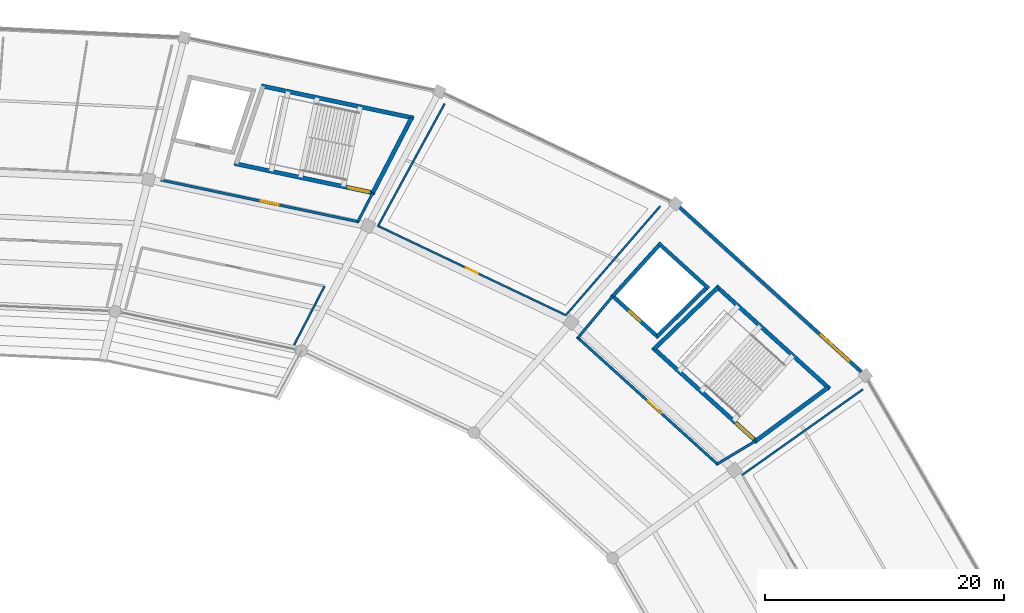
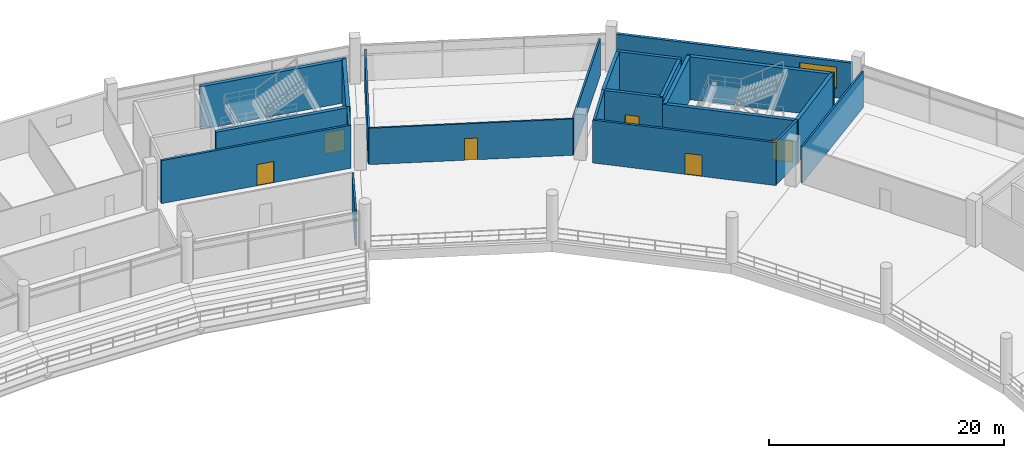
# One storey, part 138 of 171: 22 walls, 6 doors, 1 window, 7 openings.
"""IFC4 building model written with IfcOpenShell, lengths in metres."""

from ifc_helpers import new_model, si_unit, direction, frame, frame_2d, origin, place, context, subcontext, project, spatial, rectangle, extrude, material, layer, layer_set, type_object, element, fill, save


model = new_model("IFC4")

# Units and contexts
model_context = context("Model", 3, precision=1e-05, world=origin(), true_north=direction((0.0, 1.0)))
body_context = subcontext(model_context, "Body", "Model", "MODEL_VIEW")
ifc_project = project(units=[si_unit("LENGTHUNIT", "METRE"), si_unit("AREAUNIT", "SQUARE_METRE"), si_unit("VOLUMEUNIT", "CUBIC_METRE"), si_unit("PLANEANGLEUNIT", "RADIAN"), si_unit("MASSUNIT", "GRAM", prefix="KILO")], contexts=[model_context])

# Site, building, storey
site_placement = place(None, origin())
site = spatial("IfcSite", under=ifc_project, at=site_placement, CompositionType="ELEMENT")
building_placement = place(site_placement, origin())
building = spatial("IfcBuilding", under=site, at=building_placement, Name="Kazemori Nagisa Stadium", CompositionType="ELEMENT")
storey_placement = place(building_placement, frame((0.0, 0.0, 15.639892578125)))
storey = spatial("IfcBuildingStorey", under=building, at=storey_placement, Name="L03", CompositionType="ELEMENT", Elevation=15.639892578125)

# Wall, opening, door
ifc_material_1 = material(Name="Concrete C40/50 (Fc42)", Category="concrete")
ifc_layer_1 = layer(ifc_material_1, 0.35009765625, Name="Concrete C40/50 (Fc42)", Category="concrete")
ifc_layer_set_1 = layer_set([ifc_layer_1], Name="Concrete C40/50 (Fc42)")
wall_type_1 = type_object("IfcWallType", Name="Wall_W-CORE-350", PredefinedType="SHEAR", material=ifc_layer_set_1)
wall_1_placement = place(storey_placement, frame((192.438720703125, 153.072021484375, 0.0), z_axis=(0.0, 0.0, 1.0), x_axis=(-0.741358227035, 0.671109513572, 0.0)))
wall_1 = element("IfcWall", 1, at=wall_1_placement, inside=storey, type_object=wall_type_1, Name="Core stair front shear wall ST01 L03", PredefinedType="SHEAR", context=body_context, shape_type="SweptSolid", body=[
    extrude(rectangle(XDim=11.82666015625, YDim=0.35009765625, at=frame_2d((5.913330078125, 0.0))), origin(), (0.0, 0.0, 1.0), 4.460205078125),
])
opening_1_placement = place(wall_1_placement, frame((0.47509765625, 0.0, 0.0)))
opening_1 = element("IfcOpeningElement", 2, at=opening_1_placement, cuts=wall_1, Name="Opening D-ST-1800", PredefinedType="OPENING", context=body_context, shape_type="SweptSolid", body=[
    extrude(rectangle(XDim=1.800048828125, YDim=2.199951171875, at=frame_2d((0.89990234375, 1.10009765625))), frame((0.0, 0.18505859375, 0.0), z_axis=(0.0, -1.0, 0.0), x_axis=(1.0, 0.0, 0.0)), (0.0, 0.0, 1.0), 0.3701171875),
])
ifc_material_2 = material(Name="Galvanised steel sheet", Category="steel")
door_type_1 = type_object("IfcDoorType", Name="Door_D-ST-1800", OperationType="NOTDEFINED", PredefinedType="DOOR", material=ifc_material_2)
door_1_placement = place(opening_1_placement, frame((1.800048828125, 0.0, 0.0), z_axis=(0.0, 0.0, 1.0), x_axis=(-1.0, 0.0, 0.0)))
door_1 = element("IfcDoor", 3, at=door_1_placement, inside=storey, type_object=door_type_1, Name="Exit stair fire door ST01-L03", OperationType="SINGLE_SWING_LEFT", OverallHeight=2.199951171875, OverallWidth=1.800048828125, PredefinedType="DOOR", context=body_context, shape_type="SweptSolid", body=[
    extrude(rectangle(XDim=1.800048828125, YDim=2.199951171875, at=frame_2d((0.89990234375, 1.10009765625))), frame((0.0, 0.02490234375, 0.0), z_axis=(0.0, -1.0, 0.0), x_axis=(1.0, 0.0, 0.0)), (0.0, 0.0, 1.0), 0.050048828125),
])
fill(opening_1, door_1)

# Walls
wall_2_placement = place(storey_placement, frame((198.499267578125, 157.548095703125, 0.0), z_axis=(0.0, 0.0, 1.0), x_axis=(-0.741351373721, 0.671117084183, 0.0)))
element("IfcWall", 4, at=wall_2_placement, inside=storey, type_object=wall_type_1, Name="Core stair rear shear wall ST01 L03", PredefinedType="SHEAR", context=body_context, shape_type="SweptSolid", body=[
    extrude(rectangle(XDim=12.830322265625, YDim=0.35009765625, at=frame_2d((6.4150390625, 0.0))), origin(), (0.0, 0.0, 1.0), 4.460205078125),
])
wall_3_placement = place(storey_placement, frame((192.308837890625, 153.189453125, 0.0), z_axis=(0.0, 0.0, 1.0), x_axis=(0.804395625347, 0.594093997548, 0.0)))
element("IfcWall", 5, at=wall_3_placement, inside=storey, type_object=wall_type_1, Name="Core stair left shear wall ST01 L03", PredefinedType="SHEAR", context=body_context, shape_type="SweptSolid", body=[
    extrude(rectangle(XDim=7.5341796875, YDim=0.35009765625, at=frame_2d((3.76708984375, 0.0))), origin(), (0.0, 0.0, 1.0), 4.460205078125),
])
wall_4_placement = place(storey_placement, frame((183.800537109375, 160.8916015625, 0.0), z_axis=(0.0, 0.0, 1.0), x_axis=(0.718297398554, 0.69573619083, 0.0)))
element("IfcWall", 6, at=wall_4_placement, inside=storey, type_object=wall_type_1, Name="Core stair right shear wall ST01 L03", PredefinedType="SHEAR", context=body_context, shape_type="SweptSolid", body=[
    extrude(rectangle(XDim=7.40185546875, YDim=0.35009765625, at=frame_2d((3.700927734375, 0.0))), origin(), (0.0, 0.0, 1.0), 4.460205078125),
])

# Wall, opening, door
wall_5_placement = place(storey_placement, frame((160.399658203125, 173.939697265625, 0.0), z_axis=(0.0, 0.0, 1.0), x_axis=(-0.978345203961, 0.206979858648, 0.0)))
wall_5 = element("IfcWall", 7, at=wall_5_placement, inside=storey, type_object=wall_type_1, Name="Core stair front shear wall ST11 L03", PredefinedType="SHEAR", context=body_context, shape_type="SweptSolid", body=[
    extrude(rectangle(XDim=12.044189453125, YDim=0.35009765625, at=frame_2d((6.02197265625, 0.0))), origin(), (0.0, 0.0, 1.0), 4.460205078125),
])
opening_2_placement = place(wall_5_placement, frame((0.47509765625, 0.0, 0.0)))
opening_2 = element("IfcOpeningElement", 8, at=opening_2_placement, cuts=wall_5, Name="Opening D-ST-1800", PredefinedType="OPENING", context=body_context, shape_type="SweptSolid", body=[
    extrude(rectangle(XDim=1.800048828125, YDim=2.199951171875, at=frame_2d((0.89990234375, 1.10009765625))), frame((0.0, 0.18505859375, 0.0), z_axis=(0.0, -1.0, 0.0), x_axis=(1.0, 0.0, 0.0)), (0.0, 0.0, 1.0), 0.3701171875),
])
door_2_placement = place(opening_2_placement, frame((1.800048828125, 0.0, 0.0), z_axis=(0.0, 0.0, 1.0), x_axis=(-1.0, 0.0, 0.0)))
door_2 = element("IfcDoor", 9, at=door_2_placement, inside=storey, type_object=door_type_1, Name="Exit stair fire door ST11-L03", OperationType="SINGLE_SWING_LEFT", OverallHeight=2.199951171875, OverallWidth=1.800048828125, PredefinedType="DOOR", context=body_context, shape_type="SweptSolid", body=[
    extrude(rectangle(XDim=1.800048828125, YDim=2.199951171875, at=frame_2d((0.89990234375, 1.10009765625))), frame((0.0, 0.02490234375, 0.0), z_axis=(0.0, -1.0, 0.0), x_axis=(1.0, 0.0, 0.0)), (0.0, 0.0, 1.0), 0.050048828125),
])
fill(opening_2, door_2)

# Walls
wall_6_placement = place(storey_placement, frame((163.655029296875, 180.2333984375, 0.0), z_axis=(0.0, 0.0, 1.0), x_axis=(-0.978345119536, 0.206980257705, 0.0)))
element("IfcWall", 10, at=wall_6_placement, inside=storey, type_object=wall_type_1, Name="Core stair rear shear wall ST11 L03", PredefinedType="SHEAR", context=body_context, shape_type="SweptSolid", body=[
    extrude(rectangle(XDim=13.06689453125, YDim=0.35009765625, at=frame_2d((6.533447265625, 0.0))), origin(), (0.0, 0.0, 1.0), 4.460205078125),
])
wall_7_placement = place(storey_placement, frame((160.228515625, 173.975830078125, 0.0), z_axis=(0.0, 0.0, 1.0), x_axis=(0.459409796564, 0.888224430435, 0.0)))
element("IfcWall", 11, at=wall_7_placement, inside=storey, type_object=wall_type_1, Name="Core stair left shear wall ST11 L03", PredefinedType="SHEAR", context=body_context, shape_type="SweptSolid", body=[
    extrude(rectangle(XDim=7.0859375, YDim=0.35009765625, at=frame_2d((3.54296875, 0.0))), origin(), (0.0, 0.0, 1.0), 4.460205078125),
])

# Wall, opening, window
ifc_material_3 = material(Name="Concrete C40/50 (Fc42) precast", Category="concrete")
ifc_layer_2 = layer(ifc_material_3, 0.27490234375, Name="Concrete C40/50 (Fc42) precast", Category="concrete")
ifc_layer_set_2 = layer_set([ifc_layer_2], Name="Concrete C40/50 (Fc42) precast")
wall_type_2 = type_object("IfcWallType", Name="Wall_W-EXT-275", PredefinedType="SOLIDWALL", material=ifc_layer_set_2)
wall_8_placement = place(storey_placement, frame((201.169189453125, 158.962890625, 0.0), z_axis=(0.0, 0.0, 1.0), x_axis=(-0.741352367697, 0.671115986183, 0.0)))
wall_8 = element("IfcWall", 12, at=wall_8_placement, inside=storey, type_object=wall_type_2, Name="Exterior facade wall L03-04", PredefinedType="SOLIDWALL", context=body_context, shape_type="SweptSolid", body=[
    extrude(rectangle(XDim=20.56396484375, YDim=0.27490234375, at=frame_2d((10.281982421875, 0.0))), origin(), (0.0, 0.0, 1.0), 3.81005859375),
])
opening_3_placement = place(wall_8_placement, frame((1.39990234375, 0.0, 1.0)))
opening_3 = element("IfcOpeningElement", 13, at=opening_3_placement, cuts=wall_8, Name="Opening WIN-L03-3200", PredefinedType="OPENING", context=body_context, shape_type="SweptSolid", body=[
    extrude(rectangle(XDim=3.199951171875, YDim=2.199951171875, at=frame_2d((1.60009765625, 1.10009765625))), frame((0.0, 0.1474609375, 0.0), z_axis=(0.0, -1.0, 0.0), x_axis=(1.0, 0.0, 0.0)), (0.0, 0.0, 1.0), 0.294921875),
])
ifc_material_4 = material(Name="Low-e laminated double glazing", Category="glass")
window_type = type_object("IfcWindowType", Name="Window_WIN-L03-3200", PartitioningType="SINGLE_PANEL", PredefinedType="WINDOW", material=ifc_material_4)
window_placement = place(opening_3_placement, origin())
window = element("IfcWindow", 14, at=window_placement, inside=storey, type_object=window_type, Name="Core lobby window L03-04", OverallHeight=2.199951171875, OverallWidth=3.199951171875, PartitioningType="SINGLE_PANEL", PredefinedType="WINDOW", context=body_context, shape_type="SweptSolid", body=[
    extrude(rectangle(XDim=3.199951171875, YDim=2.199951171875, at=frame_2d((1.60009765625, 1.10009765625))), frame((0.0, 0.030029296875, 0.0), z_axis=(0.0, -1.0, 0.0), x_axis=(1.0, 0.0, 0.0)), (0.0, 0.0, 1.0), 0.06005859375),
])
fill(opening_3, window)

# Wall, opening, door
ifc_material_5 = material(Name="Concrete C36/45 (Fc36)", Category="concrete")
ifc_layer_3 = layer(ifc_material_5, 0.219970703125, Name="Concrete C36/45 (Fc36)", Category="concrete")
ifc_layer_set_3 = layer_set([ifc_layer_3], Name="Concrete C36/45 (Fc36)")
wall_type_3 = type_object("IfcWallType", Name="Wall_W-LOBBY-220", PredefinedType="SOLIDWALL", material=ifc_layer_set_3)
wall_9_placement = place(storey_placement, frame((189.166259765625, 151.1806640625, 0.0), z_axis=(0.0, 0.0, 1.0), x_axis=(-0.741351035574, 0.671117457717, 0.0)))
wall_9 = element("IfcWall", 15, at=wall_9_placement, inside=storey, type_object=wall_type_3, Name="Core lobby fire wall ST01 L03", PredefinedType="SOLIDWALL", context=body_context, shape_type="SweptSolid", body=[
    extrude(rectangle(XDim=15.96923828125, YDim=0.219970703125, at=frame_2d((7.984619140625, 0.0))), origin(), (0.0, 0.0, 1.0), 4.460205078125),
])
opening_4_placement = place(wall_9_placement, frame((6.447021484375, 0.0, 0.0)))
opening_4 = element("IfcOpeningElement", 16, at=opening_4_placement, cuts=wall_9, Name="Opening D-FFL-1500", PredefinedType="OPENING", context=body_context, shape_type="SweptSolid", body=[
    extrude(rectangle(XDim=1.5, YDim=2.199951171875, at=frame_2d((0.75, 1.10009765625))), frame((0.0, 0.119873046875, 0.0), z_axis=(0.0, -1.0, 0.0), x_axis=(1.0, 0.0, 0.0)), (0.0, 0.0, 1.0), 0.239990234375),
])
door_type_2 = type_object("IfcDoorType", Name="Door_D-FFL-1500", OperationType="NOTDEFINED", PredefinedType="DOOR", material=ifc_material_2)
door_3_placement = place(opening_4_placement, frame((1.5, 0.0, 0.0), z_axis=(0.0, 0.0, 1.0), x_axis=(-1.0, 0.0, 0.0)))
door_3 = element("IfcDoor", 17, at=door_3_placement, inside=storey, type_object=door_type_2, Name="Protected lobby fire door ST01-L03", OperationType="DOUBLE_DOOR_SINGLE_SWING", OverallHeight=2.199951171875, OverallWidth=1.5, PredefinedType="DOOR", context=body_context, shape_type="SweptSolid", body=[
    extrude(rectangle(XDim=1.5, YDim=2.199951171875, at=frame_2d((0.75, 1.10009765625))), frame((0.0, 0.02490234375, 0.0), z_axis=(0.0, -1.0, 0.0), x_axis=(1.0, 0.0, 0.0)), (0.0, 0.0, 1.0), 0.050048828125),
])
fill(opening_4, door_3)

# Walls
wall_10_placement = place(storey_placement, frame((189.084716796875, 151.25439453125, 0.0), z_axis=(0.0, 0.0, 1.0), x_axis=(0.857424171966, 0.514610327654, 0.0)))
element("IfcWall", 18, at=wall_10_placement, inside=storey, type_object=wall_type_3, Name="Core lobby left wall ST01 L03", PredefinedType="SOLIDWALL", context=body_context, shape_type="SweptSolid", body=[
    extrude(rectangle(XDim=3.76025390625, YDim=0.219970703125, at=frame_2d((1.880126953125, 0.0))), origin(), (0.0, 0.0, 1.0), 4.460205078125),
])
wall_11_placement = place(storey_placement, frame((177.408935546875, 161.823974609375, 0.0), z_axis=(0.0, 0.0, 1.0), x_axis=(0.640759627034, 0.767741558315, 0.0)))
element("IfcWall", 19, at=wall_11_placement, inside=storey, type_object=wall_type_3, Name="Core lobby right wall ST01 L03", PredefinedType="SOLIDWALL", context=body_context, shape_type="SweptSolid", body=[
    extrude(rectangle(XDim=4.549072265625, YDim=0.219970703125, at=frame_2d((2.2744140625, 0.0))), origin(), (0.0, 0.0, 1.0), 4.460205078125),
])

# Wall, opening, door
wall_12_placement = place(storey_placement, frame((159.083984375, 171.5322265625, 0.0), z_axis=(0.0, 0.0, 1.0), x_axis=(-0.978342313718, 0.206993519678, 0.0)))
wall_12 = element("IfcWall", 20, at=wall_12_placement, inside=storey, type_object=wall_type_3, Name="Core lobby fire wall ST11 L03", PredefinedType="SOLIDWALL", context=body_context, shape_type="SweptSolid", body=[
    extrude(rectangle(XDim=16.983154296875, YDim=0.219970703125, at=frame_2d((8.49169921875, 0.0))), origin(), (0.0, 0.0, 1.0), 4.460205078125),
])
opening_5_placement = place(wall_12_placement, frame((6.903076171875, 0.0, 0.0)))
opening_5 = element("IfcOpeningElement", 21, at=opening_5_placement, cuts=wall_12, Name="Opening D-FFL-1500", PredefinedType="OPENING", context=body_context, shape_type="SweptSolid", body=[
    extrude(rectangle(XDim=1.5, YDim=2.199951171875, at=frame_2d((0.75, 1.10009765625))), frame((0.0, 0.119873046875, 0.0), z_axis=(0.0, -1.0, 0.0), x_axis=(1.0, 0.0, 0.0)), (0.0, 0.0, 1.0), 0.239990234375),
])
door_4_placement = place(opening_5_placement, frame((1.5, 0.0, 0.0), z_axis=(0.0, 0.0, 1.0), x_axis=(-1.0, 0.0, 0.0)))
door_4 = element("IfcDoor", 22, at=door_4_placement, inside=storey, type_object=door_type_2, Name="Protected lobby fire door ST11-L03", OperationType="DOUBLE_DOOR_SINGLE_SWING", OverallHeight=2.199951171875, OverallWidth=1.5, PredefinedType="DOOR", context=body_context, shape_type="SweptSolid", body=[
    extrude(rectangle(XDim=1.5, YDim=2.199951171875, at=frame_2d((0.75, 1.10009765625))), frame((0.0, 0.02490234375, 0.0), z_axis=(0.0, -1.0, 0.0), x_axis=(1.0, 0.0, 0.0)), (0.0, 0.0, 1.0), 0.050048828125),
])
fill(opening_5, door_4)

# Walls
wall_13_placement = place(storey_placement, frame((158.976318359375, 171.55517578125, 0.0), z_axis=(0.0, 0.0, 1.0), x_axis=(0.459461910618, 0.888197473928, 0.0)))
element("IfcWall", 23, at=wall_13_placement, inside=storey, type_object=wall_type_3, Name="Core lobby left wall ST11 L03", PredefinedType="SOLIDWALL", context=body_context, shape_type="SweptSolid", body=[
    extrude(rectangle(XDim=2.725341796875, YDim=0.219970703125, at=frame_2d((1.36279296875, 0.0))), origin(), (0.0, 0.0, 1.0), 4.460205078125),
])
ifc_material_6 = material(Name="Gypsum plasterboard", Category="gypsum")
ifc_layer_4 = layer(ifc_material_6, 0.1650390625, Name="Gypsum plasterboard", Category="gypsum")
ifc_layer_set_4 = layer_set([ifc_layer_4], Name="Gypsum plasterboard")
wall_type_4 = type_object("IfcWallType", Name="Wall_W-PART-165", PredefinedType="PARTITIONING", material=ifc_layer_set_4)
wall_14_placement = place(storey_placement, frame((191.178955078125, 150.341552734375, 0.0), z_axis=(0.0, 0.0, 1.0), x_axis=(0.815753527099, 0.578399674122, 0.0)))
element("IfcWall", 24, at=wall_14_placement, inside=storey, type_object=wall_type_4, Name="Room radial partition L03-B03-R", PredefinedType="PARTITIONING", context=body_context, shape_type="SweptSolid", body=[
    extrude(rectangle(XDim=12.38232421875, YDim=0.1650390625, at=frame_2d((6.191162109375, 0.0))), origin(), (0.0, 0.0, 1.0), 3.780029296875),
])

# Wall, opening, door
wall_15_placement = place(storey_placement, frame((176.400634765625, 163.719970703125, 0.0), z_axis=(0.0, 0.0, 1.0), x_axis=(-0.903217202186, 0.429183743488, 0.0)))
wall_15 = element("IfcWall", 25, at=wall_15_placement, inside=storey, type_object=wall_type_4, Name="Room corridor partition L03-B05", PredefinedType="PARTITIONING", context=body_context, shape_type="SweptSolid", body=[
    extrude(rectangle(XDim=17.419189453125, YDim=0.1650390625, at=frame_2d((8.70947265625, 0.0))), origin(), (0.0, 0.0, 1.0), 3.780029296875),
])
opening_6_placement = place(wall_15_placement, frame((8.159912109375, 0.0, 0.0)))
opening_6 = element("IfcOpeningElement", 26, at=opening_6_placement, cuts=wall_15, Name="Opening D-SUI-1100", PredefinedType="OPENING", context=body_context, shape_type="SweptSolid", body=[
    extrude(rectangle(XDim=1.10009765625, YDim=2.25, at=frame_2d((0.550048828125, 1.125))), frame((0.0, 0.092529296875, 0.0), z_axis=(0.0, -1.0, 0.0), x_axis=(1.0, 0.0, 0.0)), (0.0, 0.0, 1.0), 0.18505859375),
])
ifc_material_7 = material(Name="Oak timber veneer", Category="wood")
door_type_3 = type_object("IfcDoorType", Name="Door_D-SUI-1100", OperationType="NOTDEFINED", PredefinedType="DOOR", material=ifc_material_7)
door_5_placement = place(opening_6_placement, origin())
door_5 = element("IfcDoor", 27, at=door_5_placement, inside=storey, type_object=door_type_3, Name="Room entrance door D-SUI-1100 L03-B05", OperationType="SINGLE_SWING_LEFT", OverallHeight=2.25, OverallWidth=1.10009765625, PredefinedType="DOOR", context=body_context, shape_type="SweptSolid", body=[
    extrude(rectangle(XDim=1.10009765625, YDim=2.25, at=frame_2d((0.550048828125, 1.125))), frame((0.0, 0.02490234375, 0.0), z_axis=(0.0, -1.0, 0.0), x_axis=(1.0, 0.0, 0.0)), (0.0, 0.0, 1.0), 0.050048828125),
])
fill(opening_6, door_5)

# Walls
wall_16_placement = place(storey_placement, frame((176.400634765625, 163.719970703125, 0.0), z_axis=(0.0, 0.0, 1.0), x_axis=(0.654293035882, 0.756241114458, 0.0)))
element("IfcWall", 28, at=wall_16_placement, inside=storey, type_object=wall_type_4, Name="Room radial partition L03-B05-L", PredefinedType="PARTITIONING", context=body_context, shape_type="SweptSolid", body=[
    extrude(rectangle(XDim=12.091064453125, YDim=0.1650390625, at=frame_2d((6.04541015625, 0.0))), origin(), (0.0, 0.0, 1.0), 3.780029296875),
])
wall_17_placement = place(storey_placement, frame((160.667236328125, 171.196044921875, 0.0), z_axis=(0.0, 0.0, 1.0), x_axis=(0.478125060974, 0.878291765912, 0.0)))
element("IfcWall", 29, at=wall_17_placement, inside=storey, type_object=wall_type_4, Name="Room radial partition L03-B05-R", PredefinedType="PARTITIONING", context=body_context, shape_type="SweptSolid", body=[
    extrude(rectangle(XDim=11.671875, YDim=0.1650390625, at=frame_2d((5.8359375, 0.0))), origin(), (0.0, 0.0, 1.0), 3.780029296875),
])
wall_18_placement = place(storey_placement, frame((156.179931640625, 166.14892578125, 0.0), z_axis=(0.0, 0.0, 1.0), x_axis=(-0.459419323279, -0.888219502937, 0.0)))
element("IfcWall", 30, at=wall_18_placement, inside=storey, type_object=wall_type_4, Name="Bowl hospitality suite divider L03-B06L", PredefinedType="PARTITIONING", context=body_context, shape_type="SweptSolid", body=[
    extrude(rectangle(XDim=5.54150390625, YDim=0.1650390625, at=frame_2d((2.770751953125, 0.0))), origin(), (0.0, 0.0, 1.0), 3.780029296875),
])

# Wall, opening, door
ifc_layer_5 = layer(ifc_material_1, 0.300048828125, Name="Concrete C40/50 (Fc42)", Category="concrete")
ifc_layer_set_5 = layer_set([ifc_layer_5], Name="Concrete C40/50 (Fc42)")
wall_type_5 = type_object("IfcWallType", Name="Wall_W-SHAFT-300", PredefinedType="SHEAR", material=ifc_layer_set_5)
wall_19_placement = place(storey_placement, frame((184.1630859375, 161.840576171875, 0.0), z_axis=(0.0, 0.0, 1.0), x_axis=(-0.741350155641, 0.671118429736, 0.0)))
wall_19 = element("IfcWall", 31, at=wall_19_placement, inside=storey, type_object=wall_type_5, Name="Lift shaft front wall FL1 L03", PredefinedType="SHEAR", context=body_context, shape_type="SweptSolid", body=[
    extrude(rectangle(XDim=5.3291015625, YDim=0.300048828125, at=frame_2d((2.66455078125, 0.0))), origin(), (0.0, 0.0, 1.0), 4.460205078125),
])
opening_7_placement = place(wall_19_placement, frame((2.06494140625, 0.0, 0.0)))
opening_7 = element("IfcOpeningElement", 32, at=opening_7_placement, cuts=wall_19, Name="Opening LD-FF", PredefinedType="OPENING", context=body_context, shape_type="SweptSolid", body=[
    extrude(rectangle(XDim=1.199951171875, YDim=2.199951171875, at=frame_2d((0.60009765625, 1.10009765625))), frame((0.0, 0.159912109375, 0.0), z_axis=(0.0, -1.0, 0.0), x_axis=(1.0, 0.0, 0.0)), (0.0, 0.0, 1.0), 0.320068359375),
])
ifc_material_8 = material(Name="Stainless steel SUS304", Category="steel")
door_type_4 = type_object("IfcDoorType", Name="Door_LD-FF", OperationType="SLIDING_TO_LEFT", PredefinedType="DOOR", material=ifc_material_8)
door_6_placement = place(opening_7_placement, origin())
door_6 = element("IfcDoor", 33, at=door_6_placement, inside=storey, type_object=door_type_4, Name="Lift landing door FL1-L03", OperationType="SLIDING_TO_LEFT", OverallHeight=2.199951171875, OverallWidth=1.199951171875, PredefinedType="DOOR", context=body_context, shape_type="SweptSolid", body=[
    extrude(rectangle(XDim=1.199951171875, YDim=2.199951171875, at=frame_2d((0.60009765625, 1.10009765625))), frame((0.0, 0.02490234375, 0.0), z_axis=(0.0, -1.0, 0.0), x_axis=(1.0, 0.0, 0.0)), (0.0, 0.0, 1.0), 0.050048828125),
])
fill(opening_7, door_6)

# Walls
wall_20_placement = place(storey_placement, frame((188.359619140625, 165.960693359375, 0.0), z_axis=(0.0, 0.0, 1.0), x_axis=(-0.74134208775, 0.671127341815, 0.0)))
element("IfcWall", 34, at=wall_20_placement, inside=storey, type_object=wall_type_5, Name="Lift shaft B wall FL1 L03", PredefinedType="SHEAR", context=body_context, shape_type="SweptSolid", body=[
    extrude(rectangle(XDim=5.674560546875, YDim=0.300048828125, at=frame_2d((2.83740234375, 0.0))), origin(), (0.0, 0.0, 1.0), 4.460205078125),
])
wall_21_placement = place(storey_placement, frame((184.052001953125, 161.941162109375, 0.0), z_axis=(0.0, 0.0, 1.0), x_axis=(0.713553028001, 0.700601224828, 0.0)))
element("IfcWall", 35, at=wall_21_placement, inside=storey, type_object=wall_type_5, Name="Lift shaft L wall FL1 L03", PredefinedType="SHEAR", context=body_context, shape_type="SweptSolid", body=[
    extrude(rectangle(XDim=5.881103515625, YDim=0.300048828125, at=frame_2d((2.9404296875, 0.0))), origin(), (0.0, 0.0, 1.0), 4.460205078125),
])
wall_22_placement = place(storey_placement, frame((180.32373046875, 165.31640625, 0.0), z_axis=(0.0, 0.0, 1.0), x_axis=(0.67115829282, 0.741314067031, 0.0)))
element("IfcWall", 36, at=wall_22_placement, inside=storey, type_object=wall_type_5, Name="Lift shaft R wall FL1 L03", PredefinedType="SHEAR", context=body_context, shape_type="SweptSolid", body=[
    extrude(rectangle(XDim=5.87060546875, YDim=0.300048828125, at=frame_2d((2.935302734375, 0.0))), origin(), (0.0, 0.0, 1.0), 4.460205078125),
])

save(model, "model.ifc")
